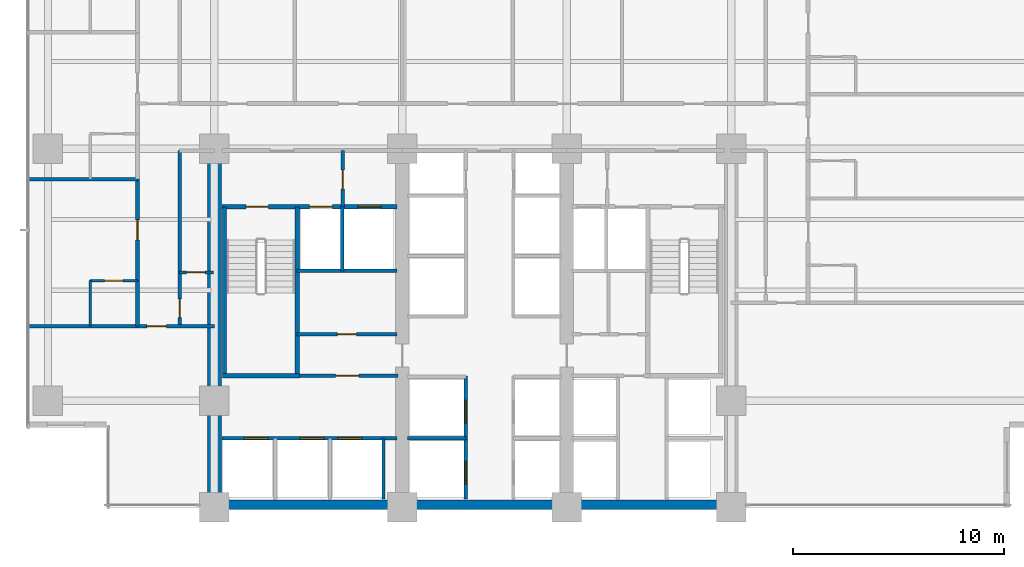
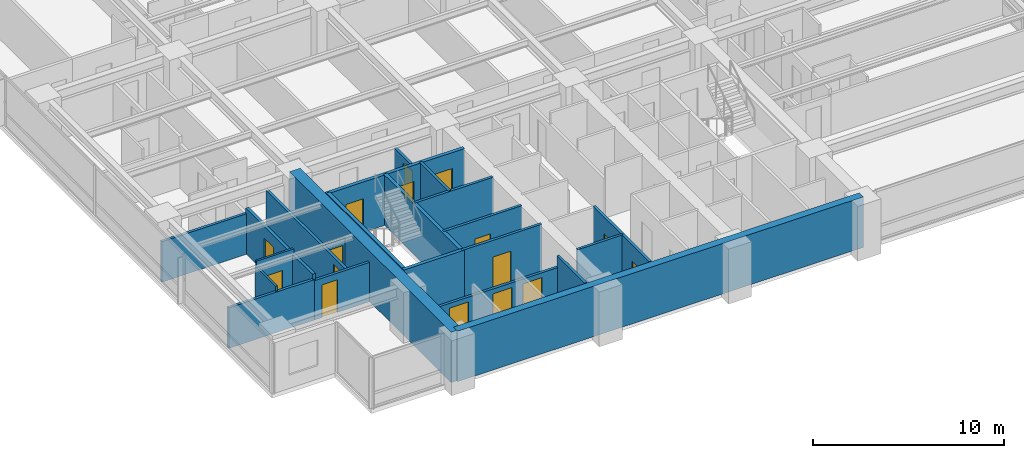
# One storey, part 7 of 17: 24 walls, 16 doors, 16 openings.
"""IFC4 building model written with IfcOpenShell, lengths in metres."""

from ifc_helpers import new_model, si_unit, direction, frame, frame_2d, origin, place, context, subcontext, project, spatial, rectangle, extrude, material, layer, layer_set, type_object, element, fill, save


model = new_model("IFC4")

# Units and contexts
model_context = context("Model", 3, precision=1e-05, world=origin(), true_north=direction((0.0, 1.0)))
body_context = subcontext(model_context, "Body", "Model", "MODEL_VIEW")
ifc_project = project(units=[si_unit("LENGTHUNIT", "METRE"), si_unit("AREAUNIT", "SQUARE_METRE"), si_unit("VOLUMEUNIT", "CUBIC_METRE"), si_unit("PLANEANGLEUNIT", "RADIAN"), si_unit("MASSUNIT", "GRAM", prefix="KILO")], contexts=[model_context])

# Site, building, storey
site_placement = place(None, origin())
site = spatial("IfcSite", under=ifc_project, at=site_placement, CompositionType="ELEMENT")
building_placement = place(site_placement, origin())
building = spatial("IfcBuilding", under=site, at=building_placement, Name="Qalmaran Belvedere Hotel", CompositionType="ELEMENT")
storey_placement = place(building_placement, frame((0.0, 0.0, 40.39990234375)))
storey = spatial("IfcBuildingStorey", under=building, at=storey_placement, Name="L09", CompositionType="ELEMENT", Elevation=40.39990234375)

# Walls
ifc_material_1 = material(Name="Concrete C60/75", Category="concrete")
ifc_layer_1 = layer(ifc_material_1, 0.64990234375, Name="Concrete C60/75")
ifc_layer_set_1 = layer_set([ifc_layer_1], Name="Concrete C60/75")
wall_type_1 = type_object("IfcWallType", Name="WL-CORE-650-C60", PredefinedType="SHEAR", material=ifc_layer_set_1)
wall_1_placement = place(storey_placement, frame((20.300048828125, 3.5, 0.0), z_axis=(0.0, 0.0, 1.0), x_axis=(0.0, 1.0, 0.0)))
element("IfcWall", 1, at=wall_1_placement, inside=storey, type_object=wall_type_1, Name="L09 West Core Shear Wall", PredefinedType="SHEAR", context=body_context, shape_type="SweptSolid", body=[
    extrude(rectangle(XDim=16.89990234375, YDim=0.64990234375, at=frame_2d((8.449951171875, 0.0))), origin(), (0.0, 0.0, 1.0), 3.22021484375),
])
ifc_material_2 = material(Name="Concrete C50/60", Category="concrete")
ifc_layer_2 = layer(ifc_material_2, 0.43994140625, Name="Concrete C50/60")
ifc_layer_set_2 = layer_set([ifc_layer_2], Name="Concrete C50/60")
wall_type_2 = type_object("IfcWallType", Name="WL-CORES-440-EXT", PredefinedType="SHEAR", material=ifc_layer_set_2)
wall_2_placement = place(storey_placement, frame((20.300048828125, 3.6298828125, 0.0), z_axis=(0.0, 0.0, 1.0), x_axis=(1.0, 0.0, 0.0)))
element("IfcWall", 2, at=wall_2_placement, inside=storey, type_object=wall_type_2, Name="L09 South Core Shear Wall", PredefinedType="SHEAR", context=body_context, shape_type="SweptSolid", body=[
    extrude(rectangle(XDim=24.5, YDim=0.43994140625, at=frame_2d((12.25, 0.0))), origin(), (0.0, 0.0, 1.0), 3.22021484375),
])

# Wall, opening, door
ifc_material_3 = material(Name="Moisture-Resistant Gypsum")
ifc_layer_3 = layer(ifc_material_3, 0.1201171875, Name="Moisture-Resistant Gypsum")
ifc_layer_set_3 = layer_set([ifc_layer_3], Name="Moisture-Resistant Gypsum")
wall_type_3 = type_object("IfcWallType", Name="WL-INT-120-BATH", PredefinedType="PARTITIONING", material=ifc_layer_set_3)
wall_3_placement = place(storey_placement, frame((14.39990234375, 14.25, 0.0), z_axis=(0.0, 0.0, 1.0), x_axis=(1.0, 0.0, 0.0)))
wall_3 = element("IfcWall", 3, at=wall_3_placement, inside=storey, type_object=wall_type_3, Name="L09 Partition WL-L09-WBN00", PredefinedType="PARTITIONING", context=body_context, shape_type="SweptSolid", body=[
    extrude(rectangle(XDim=2.25, YDim=0.1201171875, at=frame_2d((1.125, 0.0))), origin(), (0.0, 0.0, 1.0), 3.22021484375),
])
opening_1_placement = place(wall_3_placement, frame((1.56494140625, 0.0, 0.0), z_axis=(0.0, 0.0, 1.0), x_axis=(-1.0, 0.0, 0.0)))
opening_1 = element("IfcOpeningElement", 4, at=opening_1_placement, cuts=wall_3, Name="Opening D-BATH", PredefinedType="OPENING", context=body_context, shape_type="SweptSolid", body=[
    extrude(rectangle(XDim=0.8798828125, YDim=2.080078125, at=frame_2d((0.43994140625, 1.0400390625))), frame((0.0, 0.070068359375, 0.0), z_axis=(0.0, -1.0, 0.0), x_axis=(1.0, 0.0, 0.0)), (0.0, 0.0, 1.0), 0.14013671875),
])
ifc_material_4 = material(Name="Engineered Oak Veneer")
door_type_1 = type_object("IfcDoorType", Name="DR-INT-BATH-880X2080", OperationType="NOTDEFINED", PredefinedType="DOOR", material=ifc_material_4)
door_1_placement = place(opening_1_placement, origin())
door_1 = element("IfcDoor", 5, at=door_1_placement, inside=storey, type_object=door_type_1, Name="L09 W Ensuite Door 01", OperationType="SINGLE_SWING_LEFT", OverallHeight=2.080078125, OverallWidth=0.8798828125, PredefinedType="DOOR", context=body_context, shape_type="SweptSolid", body=[
    extrude(rectangle(XDim=0.8798828125, YDim=2.080078125, at=frame_2d((0.43994140625, 1.0400390625))), frame((0.0, 0.02490234375, 0.0), z_axis=(0.0, -1.0, 0.0), x_axis=(1.0, 0.0, 0.0)), (0.0, 0.0, 1.0), 0.050048828125),
])
fill(opening_1, door_1)

# Wall
wall_4_placement = place(storey_placement, frame((14.39990234375, 12.10009765625, 0.0), z_axis=(0.0, 0.0, 1.0), x_axis=(0.0, 1.0, 0.0)))
element("IfcWall", 6, at=wall_4_placement, inside=storey, type_object=wall_type_3, Name="L09 Partition WL-L09-WBS00", PredefinedType="PARTITIONING", context=body_context, shape_type="SweptSolid", body=[
    extrude(rectangle(XDim=2.14990234375, YDim=0.1201171875, at=frame_2d((1.074951171875, 0.0))), origin(), (0.0, 0.0, 1.0), 2.902099609375),
])

# Wall, opening, door
ifc_material_5 = material(Name="Gypsum Stud Partition")
ifc_layer_4 = layer(ifc_material_5, 0.139892578125, Name="Gypsum Stud Partition")
ifc_layer_set_4 = layer_set([ifc_layer_4], Name="Gypsum Stud Partition")
wall_type_4 = type_object("IfcWallType", Name="WL-INT-140-NR", PredefinedType="PARTITIONING", material=ifc_layer_set_4)
wall_5_placement = place(storey_placement, frame((18.64990234375, 14.64990234375, 0.0), z_axis=(0.0, 0.0, 1.0), x_axis=(1.0, 0.0, 0.0)))
wall_5 = element("IfcWall", 7, at=wall_5_placement, inside=storey, type_object=wall_type_4, Name="L09 Partition WL-L09-WCLSUB", PredefinedType="PARTITIONING", context=body_context, shape_type="SweptSolid", body=[
    extrude(rectangle(XDim=1.60009765625, YDim=0.139892578125, at=frame_2d((0.800048828125, 0.0))), origin(), (0.0, 0.0, 1.0), 2.510009765625),
])
opening_2_placement = place(wall_5_placement, frame((1.193115234375, 0.0, 0.0), z_axis=(0.0, 0.0, 1.0), x_axis=(-1.0, 0.0, 0.0)))
opening_2 = element("IfcOpeningElement", 8, at=opening_2_placement, cuts=wall_5, Name="Opening D-BATH", PredefinedType="OPENING", context=body_context, shape_type="SweptSolid", body=[
    extrude(rectangle(XDim=0.8798828125, YDim=2.080078125, at=frame_2d((0.43994140625, 1.0400390625))), frame((0.0, 0.080078125, 0.0), z_axis=(0.0, -1.0, 0.0), x_axis=(1.0, 0.0, 0.0)), (0.0, 0.0, 1.0), 0.159912109375),
])
door_2_placement = place(opening_2_placement, origin())
door_2 = element("IfcDoor", 9, at=door_2_placement, inside=storey, type_object=door_type_1, Name="L09 Closet Alcove Door", OperationType="SINGLE_SWING_RIGHT", OverallHeight=2.080078125, OverallWidth=0.8798828125, PredefinedType="DOOR", context=body_context, shape_type="SweptSolid", body=[
    extrude(rectangle(XDim=0.8798828125, YDim=2.080078125, at=frame_2d((0.43994140625, 1.0400390625))), frame((0.0, 0.02490234375, 0.0), z_axis=(0.0, -1.0, 0.0), x_axis=(1.0, 0.0, 0.0)), (0.0, 0.0, 1.0), 0.050048828125),
])
fill(opening_2, door_2)

# Walls
ifc_layer_5 = layer(ifc_material_5, 0.14990234375, Name="Gypsum Stud Partition")
ifc_layer_set_5 = layer_set([ifc_layer_5], Name="Gypsum Stud Partition")
wall_type_5 = type_object("IfcWallType", Name="WL-INT-150-EI120", PredefinedType="PARTITIONING", material=ifc_layer_set_5)
wall_6_placement = place(storey_placement, frame((26.360107421875, 14.719970703125, 0.0), z_axis=(0.0, 0.0, 1.0), x_axis=(0.0, 1.0, 0.0)))
element("IfcWall", 10, at=wall_6_placement, inside=storey, type_object=wall_type_5, Name="L09 Partition WL-FF1M-L09", PredefinedType="PARTITIONING", context=body_context, shape_type="SweptSolid", body=[
    extrude(rectangle(XDim=3.0400390625, YDim=0.14990234375, at=frame_2d((1.52001953125, 0.0))), origin(), (0.0, 0.0, 1.0), 3.22021484375),
])
wall_7_placement = place(storey_placement, frame((28.320068359375, 3.89990234375, 0.0), z_axis=(0.0, 0.0, 1.0), x_axis=(0.0, 1.0, 0.0)))
element("IfcWall", 11, at=wall_7_placement, inside=storey, type_object=wall_type_5, Name="L09 Partition WL-POM3-L09", PredefinedType="PARTITIONING", context=body_context, shape_type="SweptSolid", body=[
    extrude(rectangle(XDim=2.880126953125, YDim=0.14990234375, at=frame_2d((1.43994140625, 0.0))), origin(), (0.0, 0.0, 1.0), 3.22021484375),
])
wall_8_placement = place(storey_placement, frame((29.449951171875, 6.780029296875, 0.0), z_axis=(0.0, 0.0, 1.0), x_axis=(1.0, 0.0, 0.0)))
element("IfcWall", 12, at=wall_8_placement, inside=storey, type_object=wall_type_5, Name="L09 Partition WL-PLW-L09-67", PredefinedType="PARTITIONING", context=body_context, shape_type="SweptSolid", body=[
    extrude(rectangle(XDim=2.77001953125, YDim=0.14990234375, at=frame_2d((1.385009765625, 0.0))), origin(), (0.0, 0.0, 1.0), 3.22021484375),
])

# Wall, opening, door
ifc_layer_6 = layer(ifc_material_5, 0.159912109375, Name="Gypsum Stud Partition")
ifc_layer_set_6 = layer_set([ifc_layer_6], Name="Gypsum Stud Partition")
wall_type_6 = type_object("IfcWallType", Name="WL-INT-160-EI120", PredefinedType="PARTITIONING", material=ifc_layer_set_6)
wall_9_placement = place(storey_placement, frame((26.3798828125, 17.760009765625, 0.0), z_axis=(0.0, 0.0, 1.0), x_axis=(0.0, 1.0, 0.0)))
wall_9 = element("IfcWall", 13, at=wall_9_placement, inside=storey, type_object=wall_type_6, Name="L09 Partition WL-FFSV1-L09", PredefinedType="PARTITIONING", context=body_context, shape_type="SweptSolid", body=[
    extrude(rectangle(XDim=2.659912109375, YDim=0.159912109375, at=frame_2d((1.330078125, 0.0))), origin(), (0.0, 0.0, 1.0), 2.510009765625),
])
opening_3_placement = place(wall_9_placement, frame((0.85009765625, 0.0, 0.0)))
opening_3 = element("IfcOpeningElement", 14, at=opening_3_placement, cuts=wall_9, Name="Opening FD60B", PredefinedType="OPENING", context=body_context, shape_type="SweptSolid", body=[
    extrude(rectangle(XDim=0.8798828125, YDim=2.080078125, at=frame_2d((0.43994140625, 1.0400390625))), frame((0.0, 0.08984375, 0.0), z_axis=(0.0, -1.0, 0.0), x_axis=(1.0, 0.0, 0.0)), (0.0, 0.0, 1.0), 0.179931640625),
])
ifc_material_6 = material(Name="Steel S355JR", Category="steel")
door_type_2 = type_object("IfcDoorType", Name="DR-FD60B-880X2080", OperationType="NOTDEFINED", PredefinedType="DOOR", material=ifc_material_6)
door_3_placement = place(opening_3_placement, origin())
door_3 = element("IfcDoor", 15, at=door_3_placement, inside=storey, type_object=door_type_2, Name="L09 Service Lobby West Door", OperationType="SINGLE_SWING_RIGHT", OverallHeight=2.080078125, OverallWidth=0.8798828125, PredefinedType="DOOR", context=body_context, shape_type="SweptSolid", body=[
    extrude(rectangle(XDim=0.8798828125, YDim=2.080078125, at=frame_2d((0.43994140625, 1.0400390625))), frame((0.0, 0.02490234375, 0.0), z_axis=(0.0, -1.0, 0.0), x_axis=(1.0, 0.0, 0.0)), (0.0, 0.0, 1.0), 0.050048828125),
])
fill(opening_3, door_3)

# Wall
wall_10_placement = place(storey_placement, frame((24.219970703125, 14.719970703125, 0.0), z_axis=(0.0, 0.0, 1.0), x_axis=(1.0, 0.0, 0.0)))
element("IfcWall", 16, at=wall_10_placement, inside=storey, type_object=wall_type_6, Name="L09 Partition WL-FF1S-L09", PredefinedType="PARTITIONING", context=body_context, shape_type="SweptSolid", body=[
    extrude(rectangle(XDim=4.72998046875, YDim=0.159912109375, at=frame_2d((2.364990234375, 0.0))), origin(), (0.0, 0.0, 1.0), 3.22021484375),
])

# Wall, openings, doors
wall_11_placement = place(storey_placement, frame((20.64990234375, 6.780029296875, 0.0), z_axis=(0.0, 0.0, 1.0), x_axis=(1.0, 0.0, 0.0)))
wall_11 = element("IfcWall", 17, at=wall_11_placement, inside=storey, type_object=wall_type_6, Name="L09 Partition WL-POS-L09", PredefinedType="PARTITIONING", context=body_context, shape_type="SweptSolid", body=[
    extrude(rectangle(XDim=8.300048828125, YDim=0.159912109375, at=frame_2d((4.14990234375, 0.0))), origin(), (0.0, 0.0, 1.0), 2.510009765625),
])
opening_4_placement = place(wall_11_placement, frame((3.69482421875, 0.0, 0.0)))
opening_4 = element("IfcOpeningElement", 18, at=opening_4_placement, cuts=wall_11, Name="Opening LD-PO", PredefinedType="OPENING", context=body_context, shape_type="SweptSolid", body=[
    extrude(rectangle(XDim=1.14990234375, YDim=2.199951171875, at=frame_2d((0.574951171875, 1.10009765625))), frame((0.0, 0.08984375, 0.0), z_axis=(0.0, -1.0, 0.0), x_axis=(1.0, 0.0, 0.0)), (0.0, 0.0, 1.0), 0.179931640625),
])
opening_5_placement = place(wall_11_placement, frame((5.4921875, 0.0, 0.0)))
opening_5 = element("IfcOpeningElement", 19, at=opening_5_placement, cuts=wall_11, Name="Opening LD-PO", PredefinedType="OPENING", context=body_context, shape_type="SweptSolid", body=[
    extrude(rectangle(XDim=1.14990234375, YDim=2.199951171875, at=frame_2d((0.574951171875, 1.10009765625))), frame((0.0, 0.08984375, 0.0), z_axis=(0.0, -1.0, 0.0), x_axis=(1.0, 0.0, 0.0)), (0.0, 0.0, 1.0), 0.179931640625),
])
opening_6_placement = place(wall_11_placement, frame((1.058837890625, 0.0, 0.0)))
opening_6 = element("IfcOpeningElement", 20, at=opening_6_placement, cuts=wall_11, Name="Opening LD-PO", PredefinedType="OPENING", context=body_context, shape_type="SweptSolid", body=[
    extrude(rectangle(XDim=1.14990234375, YDim=2.199951171875, at=frame_2d((0.574951171875, 1.10009765625))), frame((0.0, 0.08984375, 0.0), z_axis=(0.0, -1.0, 0.0), x_axis=(1.0, 0.0, 0.0)), (0.0, 0.0, 1.0), 0.179931640625),
])
ifc_material_7 = material(Name="Anodised Bronze Aluminium", Category="aluminium")
door_type_3 = type_object("IfcDoorType", Name="DR-LIFT-PO-1150X2200", OperationType="DOUBLE_DOOR_SLIDING", PredefinedType="DOOR", material=ifc_material_7)
door_4_placement = place(opening_4_placement, origin())
door_4 = element("IfcDoor", 21, at=door_4_placement, inside=storey, type_object=door_type_3, Name="L09 PO1 Shuttle Landing Door", OperationType="DOUBLE_DOOR_SLIDING", OverallHeight=2.199951171875, OverallWidth=1.14990234375, PredefinedType="DOOR", context=body_context, shape_type="SweptSolid", body=[
    extrude(rectangle(XDim=1.14990234375, YDim=2.199951171875, at=frame_2d((0.574951171875, 1.10009765625))), frame((0.0, 0.02490234375, 0.0), z_axis=(0.0, -1.0, 0.0), x_axis=(1.0, 0.0, 0.0)), (0.0, 0.0, 1.0), 0.050048828125),
])
fill(opening_4, door_4)
door_5_placement = place(opening_5_placement, origin())
door_5 = element("IfcDoor", 22, at=door_5_placement, inside=storey, type_object=door_type_3, Name="L09 PO2 Shuttle Landing Door", OperationType="DOUBLE_DOOR_SLIDING", OverallHeight=2.199951171875, OverallWidth=1.14990234375, PredefinedType="DOOR", context=body_context, shape_type="SweptSolid", body=[
    extrude(rectangle(XDim=1.14990234375, YDim=2.199951171875, at=frame_2d((0.574951171875, 1.10009765625))), frame((0.0, 0.02490234375, 0.0), z_axis=(0.0, -1.0, 0.0), x_axis=(1.0, 0.0, 0.0)), (0.0, 0.0, 1.0), 0.050048828125),
])
fill(opening_5, door_5)
door_6_placement = place(opening_6_placement, origin())
door_6 = element("IfcDoor", 23, at=door_6_placement, inside=storey, type_object=door_type_3, Name="L09 PO3 Shuttle Landing Door", OperationType="DOUBLE_DOOR_SLIDING", OverallHeight=2.199951171875, OverallWidth=1.14990234375, PredefinedType="DOOR", context=body_context, shape_type="SweptSolid", body=[
    extrude(rectangle(XDim=1.14990234375, YDim=2.199951171875, at=frame_2d((0.574951171875, 1.10009765625))), frame((0.0, 0.02490234375, 0.0), z_axis=(0.0, -1.0, 0.0), x_axis=(1.0, 0.0, 0.0)), (0.0, 0.0, 1.0), 0.050048828125),
])
fill(opening_6, door_6)

# Wall, opening, door
wall_12_placement = place(storey_placement, frame((24.199951171875, 9.739990234375, 0.0), z_axis=(0.0, 0.0, 1.0), x_axis=(1.0, 0.0, 0.0)))
wall_12 = element("IfcWall", 24, at=wall_12_placement, inside=storey, type_object=wall_type_6, Name="L09 Partition WL-PON-L09", PredefinedType="PARTITIONING", context=body_context, shape_type="SweptSolid", body=[
    extrude(rectangle(XDim=4.800048828125, YDim=0.159912109375, at=frame_2d((2.39990234375, 0.0))), origin(), (0.0, 0.0, 1.0), 3.22021484375),
])
opening_7_placement = place(wall_12_placement, frame((1.85009765625, 0.0, 0.0)))
opening_7 = element("IfcOpeningElement", 25, at=opening_7_placement, cuts=wall_12, Name="Opening FD90", PredefinedType="OPENING", context=body_context, shape_type="SweptSolid", body=[
    extrude(rectangle(XDim=1.10009765625, YDim=2.14990234375, at=frame_2d((0.550048828125, 1.074951171875))), frame((0.0, 0.08984375, 0.0), z_axis=(0.0, -1.0, 0.0), x_axis=(1.0, 0.0, 0.0)), (0.0, 0.0, 1.0), 0.179931640625),
])
door_type_4 = type_object("IfcDoorType", Name="DR-FD90-1100X2150", OperationType="NOTDEFINED", PredefinedType="DOOR", material=ifc_material_6)
door_7_placement = place(opening_7_placement, origin())
door_7 = element("IfcDoor", 26, at=door_7_placement, inside=storey, type_object=door_type_4, Name="L09 Shuttle Lobby Passage Door", OperationType="SINGLE_SWING_RIGHT", OverallHeight=2.14990234375, OverallWidth=1.10009765625, PredefinedType="DOOR", context=body_context, shape_type="SweptSolid", body=[
    extrude(rectangle(XDim=1.10009765625, YDim=2.14990234375, at=frame_2d((0.550048828125, 1.074951171875))), frame((0.0, 0.02490234375, 0.0), z_axis=(0.0, -1.0, 0.0), x_axis=(1.0, 0.0, 0.0)), (0.0, 0.0, 1.0), 0.050048828125),
])
fill(opening_7, door_7)

# Wall, openings, doors
wall_13_placement = place(storey_placement, frame((32.219970703125, 3.89990234375, 0.0), z_axis=(0.0, 0.0, 1.0), x_axis=(0.0, 1.0, 0.0)))
wall_13 = element("IfcWall", 27, at=wall_13_placement, inside=storey, type_object=wall_type_6, Name="L09 Partition WL-CLBWS-L09", PredefinedType="PARTITIONING", context=body_context, shape_type="SweptSolid", body=[
    extrude(rectangle(XDim=5.840087890625, YDim=0.159912109375, at=frame_2d((2.919921875, 0.0))), origin(), (0.0, 0.0, 1.0), 3.22021484375),
])
opening_8_placement = place(wall_13_placement, frame((1.780029296875, 0.0, 0.0), z_axis=(0.0, 0.0, 1.0), x_axis=(-1.0, 0.0, 0.0)))
opening_8 = element("IfcOpeningElement", 28, at=opening_8_placement, cuts=wall_13, Name="Opening LD-P1", PredefinedType="OPENING", context=body_context, shape_type="SweptSolid", body=[
    extrude(rectangle(XDim=1.080078125, YDim=2.159912109375, at=frame_2d((0.5400390625, 1.080078125))), frame((0.0, 0.08984375, 0.0), z_axis=(0.0, -1.0, 0.0), x_axis=(1.0, 0.0, 0.0)), (0.0, 0.0, 1.0), 0.179931640625),
])
opening_9_placement = place(wall_13_placement, frame((4.68017578125, 0.0, 0.0), z_axis=(0.0, 0.0, 1.0), x_axis=(-1.0, 0.0, 0.0)))
opening_9 = element("IfcOpeningElement", 29, at=opening_9_placement, cuts=wall_13, Name="Opening LD-P1", PredefinedType="OPENING", context=body_context, shape_type="SweptSolid", body=[
    extrude(rectangle(XDim=1.080078125, YDim=2.159912109375, at=frame_2d((0.5400390625, 1.080078125))), frame((0.0, 0.08984375, 0.0), z_axis=(0.0, -1.0, 0.0), x_axis=(1.0, 0.0, 0.0)), (0.0, 0.0, 1.0), 0.179931640625),
])
ifc_material_8 = material(Name="Stainless Steel 1.4401", Category="steel")
door_type_5 = type_object("IfcDoorType", Name="DR-LIFT-P1-1080X2160", OperationType="DOUBLE_DOOR_SLIDING", PredefinedType="DOOR", material=ifc_material_8)
door_8_placement = place(opening_8_placement, origin())
door_8 = element("IfcDoor", 30, at=door_8_placement, inside=storey, type_object=door_type_5, Name="L09 PL1 Lift Landing Door", OperationType="DOUBLE_DOOR_SLIDING", OverallHeight=2.159912109375, OverallWidth=1.080078125, PredefinedType="DOOR", context=body_context, shape_type="SweptSolid", body=[
    extrude(rectangle(XDim=1.080078125, YDim=2.159912109375, at=frame_2d((0.5400390625, 1.080078125))), frame((0.0, 0.02490234375, 0.0), z_axis=(0.0, -1.0, 0.0), x_axis=(1.0, 0.0, 0.0)), (0.0, 0.0, 1.0), 0.050048828125),
])
fill(opening_8, door_8)
door_9_placement = place(opening_9_placement, origin())
door_9 = element("IfcDoor", 31, at=door_9_placement, inside=storey, type_object=door_type_5, Name="L09 PL2 Lift Landing Door", OperationType="DOUBLE_DOOR_SLIDING", OverallHeight=2.159912109375, OverallWidth=1.080078125, PredefinedType="DOOR", context=body_context, shape_type="SweptSolid", body=[
    extrude(rectangle(XDim=1.080078125, YDim=2.159912109375, at=frame_2d((0.5400390625, 1.080078125))), frame((0.0, 0.02490234375, 0.0), z_axis=(0.0, -1.0, 0.0), x_axis=(1.0, 0.0, 0.0)), (0.0, 0.0, 1.0), 0.050048828125),
])
fill(opening_9, door_9)

# Wall, opening, door
ifc_layer_7 = layer(ifc_material_5, 0.159912109375, Name="Gypsum Stud Partition")
ifc_layer_set_7 = layer_set([ifc_layer_7], Name="Gypsum Stud Partition")
wall_type_7 = type_object("IfcWallType", Name="WL-INT-160-EI60", PredefinedType="PARTITIONING", material=ifc_layer_set_7)
wall_14_placement = place(storey_placement, frame((24.219970703125, 11.719970703125, 0.0), z_axis=(0.0, 0.0, 1.0), x_axis=(1.0, 0.0, 0.0)))
wall_14 = element("IfcWall", 32, at=wall_14_placement, inside=storey, type_object=wall_type_7, Name="L09 Partition WL-L09-KWE1", PredefinedType="PARTITIONING", context=body_context, shape_type="SweptSolid", body=[
    extrude(rectangle(XDim=4.72998046875, YDim=0.159912109375, at=frame_2d((2.364990234375, 0.0))), origin(), (0.0, 0.0, 1.0), 3.22021484375),
])
opening_10_placement = place(wall_14_placement, frame((1.905029296875, 0.0, 0.0)))
opening_10 = element("IfcOpeningElement", 33, at=opening_10_placement, cuts=wall_14, Name="Opening FD60S1", PredefinedType="OPENING", context=body_context, shape_type="SweptSolid", body=[
    extrude(rectangle(XDim=0.919921875, YDim=2.080078125, at=frame_2d((0.4599609375, 1.0400390625))), frame((0.0, 0.08984375, 0.0), z_axis=(0.0, -1.0, 0.0), x_axis=(1.0, 0.0, 0.0)), (0.0, 0.0, 1.0), 0.179931640625),
])
door_type_6 = type_object("IfcDoorType", Name="DR-FD60S-920X2080", OperationType="NOTDEFINED", PredefinedType="DOOR", material=ifc_material_4)
door_10_placement = place(opening_10_placement, origin())
door_10 = element("IfcDoor", 34, at=door_10_placement, inside=storey, type_object=door_type_6, Name="L09 Electrical Distribution Room Door", OperationType="SINGLE_SWING_LEFT", OverallHeight=2.080078125, OverallWidth=0.919921875, PredefinedType="DOOR", context=body_context, shape_type="SweptSolid", body=[
    extrude(rectangle(XDim=0.919921875, YDim=2.080078125, at=frame_2d((0.4599609375, 1.0400390625))), frame((0.0, 0.02490234375, 0.0), z_axis=(0.0, -1.0, 0.0), x_axis=(1.0, 0.0, 0.0)), (0.0, 0.0, 1.0), 0.050048828125),
])
fill(opening_10, door_10)

wall_15_placement = place(storey_placement, frame((16.64990234375, 12.10009765625, 0.0), z_axis=(0.0, 0.0, 1.0), x_axis=(1.0, 0.0, 0.0)))
wall_15 = element("IfcWall", 35, at=wall_15_placement, inside=storey, type_object=wall_type_7, Name="L09 Partition WL-L09-SWRL", PredefinedType="PARTITIONING", context=body_context, shape_type="SweptSolid", body=[
    extrude(rectangle(XDim=3.650146484375, YDim=0.159912109375, at=frame_2d((1.8251953125, 0.0))), origin(), (0.0, 0.0, 1.0), 2.510009765625),
])
opening_11_placement = place(wall_15_placement, frame((1.369873046875, 0.0, 0.0), z_axis=(0.0, 0.0, 1.0), x_axis=(-1.0, 0.0, 0.0)))
opening_11 = element("IfcOpeningElement", 36, at=opening_11_placement, cuts=wall_15, Name="Opening FD60S1", PredefinedType="OPENING", context=body_context, shape_type="SweptSolid", body=[
    extrude(rectangle(XDim=0.919921875, YDim=2.080078125, at=frame_2d((0.4599609375, 1.0400390625))), frame((0.0, 0.08984375, 0.0), z_axis=(0.0, -1.0, 0.0), x_axis=(1.0, 0.0, 0.0)), (0.0, 0.0, 1.0), 0.179931640625),
])
door_11_placement = place(opening_11_placement, origin())
door_11 = element("IfcDoor", 37, at=door_11_placement, inside=storey, type_object=door_type_6, Name="L09 SW Lounge Door", OperationType="SINGLE_SWING_RIGHT", OverallHeight=2.080078125, OverallWidth=0.919921875, PredefinedType="DOOR", context=body_context, shape_type="SweptSolid", body=[
    extrude(rectangle(XDim=0.919921875, YDim=2.080078125, at=frame_2d((0.4599609375, 1.0400390625))), frame((0.0, 0.02490234375, 0.0), z_axis=(0.0, -1.0, 0.0), x_axis=(1.0, 0.0, 0.0)), (0.0, 0.0, 1.0), 0.050048828125),
])
fill(opening_11, door_11)

wall_16_placement = place(storey_placement, frame((18.64990234375, 12.10009765625, 0.0), z_axis=(0.0, 0.0, 1.0), x_axis=(0.0, 1.0, 0.0)))
wall_16 = element("IfcWall", 38, at=wall_16_placement, inside=storey, type_object=wall_type_7, Name="L09 Partition WL-L09-WCL", PredefinedType="PARTITIONING", context=body_context, shape_type="SweptSolid", body=[
    extrude(rectangle(XDim=8.31982421875, YDim=0.159912109375, at=frame_2d((4.159912109375, 0.0))), origin(), (0.0, 0.0, 1.0), 2.510009765625),
])
opening_12_placement = place(wall_16_placement, frame((1.27978515625, 0.0, 0.0), z_axis=(0.0, 0.0, 1.0), x_axis=(-1.0, 0.0, 0.0)))
opening_12 = element("IfcOpeningElement", 39, at=opening_12_placement, cuts=wall_16, Name="Opening FD60B", PredefinedType="OPENING", context=body_context, shape_type="SweptSolid", body=[
    extrude(rectangle(XDim=0.8798828125, YDim=2.080078125, at=frame_2d((0.43994140625, 1.0400390625))), frame((0.0, 0.08984375, 0.0), z_axis=(0.0, -1.0, 0.0), x_axis=(1.0, 0.0, 0.0)), (0.0, 0.0, 1.0), 0.179931640625),
])
door_12_placement = place(opening_12_placement, origin())
door_12 = element("IfcDoor", 40, at=door_12_placement, inside=storey, type_object=door_type_2, Name="L09 West Closet Door", OperationType="SINGLE_SWING_RIGHT", OverallHeight=2.080078125, OverallWidth=0.8798828125, PredefinedType="DOOR", context=body_context, shape_type="SweptSolid", body=[
    extrude(rectangle(XDim=0.8798828125, YDim=2.080078125, at=frame_2d((0.43994140625, 1.0400390625))), frame((0.0, 0.02490234375, 0.0), z_axis=(0.0, -1.0, 0.0), x_axis=(1.0, 0.0, 0.0)), (0.0, 0.0, 1.0), 0.050048828125),
])
fill(opening_12, door_12)

# Walls
for number, where, z_axis, x_axis, name in (
    (41, (11.469970703125, 12.10009765625, 0.0), (0.0, 0.0, 1.0), (1.0, 0.0, 0.0), "L09 Partition WL-L09-WBOT"),
    (42, (11.469970703125, 19.066650390625, 0.0), (0.0, 0.0, 1.0), (1.0, 0.0, 0.0), "L09 Partition WL-L09-WU00"),
):
    element("IfcWall", number, at=place(storey_placement, frame(where, z_axis=z_axis, x_axis=x_axis)), inside=storey, type_object=wall_type_7, Name=name, PredefinedType="PARTITIONING", context=body_context, shape_type="SweptSolid", body=[
        extrude(rectangle(XDim=5.179931640625, YDim=0.159912109375, at=frame_2d((2.58984375, 0.0))), origin(), (0.0, 0.0, 1.0), 2.5830078125),
    ])
ifc_layer_8 = layer(ifc_material_5, 0.179931640625, Name="Gypsum Stud Partition")
ifc_layer_set_8 = layer_set([ifc_layer_8], Name="Gypsum Stud Partition")
wall_type_8 = type_object("IfcWallType", Name="WL-INT-180-EI60", PredefinedType="PARTITIONING", material=ifc_layer_set_8)
wall_17_placement = place(storey_placement, frame((16.64990234375, 12.10009765625, 0.0), z_axis=(0.0, 0.0, 1.0), x_axis=(0.0, 1.0, 0.0)))
element("IfcWall", 43, at=wall_17_placement, inside=storey, type_object=wall_type_8, Name="L09 Partition WL-L09-WBC00", PredefinedType="PARTITIONING", context=body_context, shape_type="SweptSolid", body=[
    extrude(rectangle(XDim=2.14990234375, YDim=0.179931640625, at=frame_2d((1.074951171875, 0.0))), origin(), (0.0, 0.0, 1.0), 2.902099609375),
])

# Wall, opening, door
wall_18_placement = place(storey_placement, frame((16.64990234375, 14.25, 0.0), z_axis=(0.0, 0.0, 1.0), x_axis=(0.0, 1.0, 0.0)))
wall_18 = element("IfcWall", 44, at=wall_18_placement, inside=storey, type_object=wall_type_8, Name="L09 Partition WL-L09-WEC00", PredefinedType="PARTITIONING", context=body_context, shape_type="SweptSolid", body=[
    extrude(rectangle(XDim=4.816650390625, YDim=0.179931640625, at=frame_2d((2.408203125, 0.0))), origin(), (0.0, 0.0, 1.0), 2.902099609375),
])
opening_13_placement = place(wall_18_placement, frame((1.933349609375, 0.0, 0.0)))
opening_13 = element("IfcOpeningElement", 45, at=opening_13_placement, cuts=wall_18, Name="Opening FD60", PredefinedType="OPENING", context=body_context, shape_type="SweptSolid", body=[
    extrude(rectangle(XDim=0.949951171875, YDim=2.14990234375, at=frame_2d((0.47509765625, 1.074951171875))), frame((0.0, 0.10009765625, 0.0), z_axis=(0.0, -1.0, 0.0), x_axis=(1.0, 0.0, 0.0)), (0.0, 0.0, 1.0), 0.199951171875),
])
door_type_7 = type_object("IfcDoorType", Name="DR-FD60-950X2150", OperationType="NOTDEFINED", PredefinedType="DOOR", material=ifc_material_4)
door_13_placement = place(opening_13_placement, origin())
door_13 = element("IfcDoor", 46, at=door_13_placement, inside=storey, type_object=door_type_7, Name="L09 W Wing Door 01", OperationType="SINGLE_SWING_RIGHT", OverallHeight=2.14990234375, OverallWidth=0.949951171875, PredefinedType="DOOR", context=body_context, shape_type="SweptSolid", body=[
    extrude(rectangle(XDim=0.949951171875, YDim=2.14990234375, at=frame_2d((0.47509765625, 1.074951171875))), frame((0.0, 0.02490234375, 0.0), z_axis=(0.0, -1.0, 0.0), x_axis=(1.0, 0.0, 0.0)), (0.0, 0.0, 1.0), 0.050048828125),
])
fill(opening_13, door_13)

# Walls
ifc_layer_9 = layer(ifc_material_2, 0.2099609375, Name="Concrete C50/60")
ifc_layer_set_9 = layer_set([ifc_layer_9], Name="Concrete C50/60")
wall_type_9 = type_object("IfcWallType", Name="WL-STAIR-210-C50", PredefinedType="SHEAR", material=ifc_layer_set_9)
for number, where, z_axis, x_axis, name in (
    (47, (20.77490234375, 9.7451171875, 0.0), (0.0, 0.0, 1.0), (0.0, 1.0, 0.0), "L09 Stair ST-1 West Bearing Wall"),
    (48, (24.22509765625, 9.7451171875, 0.0), (0.0, 0.0, 1.0), (0.0, 1.0, 0.0), "L09 Stair ST-1 East Bearing Wall"),
):
    element("IfcWall", number, at=place(storey_placement, frame(where, z_axis=z_axis, x_axis=x_axis)), inside=storey, type_object=wall_type_9, Name=name, PredefinedType="SHEAR", context=body_context, shape_type="SweptSolid", body=[
        extrude(rectangle(XDim=8.009765625, YDim=0.2099609375, at=frame_2d((4.0048828125, 0.0))), origin(), (0.0, 0.0, 1.0), 3.22021484375),
    ])
wall_19_placement = place(storey_placement, frame((20.669921875, 9.7451171875, 0.0), z_axis=(0.0, 0.0, 1.0), x_axis=(1.0, 0.0, 0.0)))
element("IfcWall", 49, at=wall_19_placement, inside=storey, type_object=wall_type_9, Name="L09 Stair ST-1 South Bearing Wall", PredefinedType="SHEAR", context=body_context, shape_type="SweptSolid", body=[
    extrude(rectangle(XDim=3.66015625, YDim=0.2099609375, at=frame_2d((1.830078125, 0.0))), origin(), (0.0, 0.0, 1.0), 3.22021484375),
])

# Wall, openings, doors
wall_20_placement = place(storey_placement, frame((20.64990234375, 17.7548828125, 0.0), z_axis=(0.0, 0.0, 1.0), x_axis=(1.0, 0.0, 0.0)))
wall_20 = element("IfcWall", 50, at=wall_20_placement, inside=storey, type_object=wall_type_9, Name="L09 West Lobby and Stair ST-1 North Bearing Wall", PredefinedType="SHEAR", context=body_context, shape_type="SweptSolid", body=[
    extrude(rectangle(XDim=8.300048828125, YDim=0.2099609375, at=frame_2d((4.14990234375, 0.0))), origin(), (0.0, 0.0, 1.0), 3.22021484375),
])
opening_14_placement = place(wall_20_placement, frame((2.199951171875, 0.0, 0.0), z_axis=(0.0, 0.0, 1.0), x_axis=(-1.0, 0.0, 0.0)))
opening_14 = element("IfcOpeningElement", 51, at=opening_14_placement, cuts=wall_20, Name="Opening FD90S2", PredefinedType="OPENING", context=body_context, shape_type="SweptSolid", body=[
    extrude(rectangle(XDim=1.050048828125, YDim=2.14990234375, at=frame_2d((0.52490234375, 1.074951171875))), frame((0.0, 0.114990234375, 0.0), z_axis=(0.0, -1.0, 0.0), x_axis=(1.0, 0.0, 0.0)), (0.0, 0.0, 1.0), 0.22998046875),
])
opening_15_placement = place(wall_20_placement, frame((4.14990234375, 0.0, 0.0)))
opening_15 = element("IfcOpeningElement", 52, at=opening_15_placement, cuts=wall_20, Name="Opening LD-FF", PredefinedType="OPENING", context=body_context, shape_type="SweptSolid", body=[
    extrude(rectangle(XDim=1.10009765625, YDim=2.179931640625, at=frame_2d((0.550048828125, 1.08984375))), frame((0.0, 0.114990234375, 0.0), z_axis=(0.0, -1.0, 0.0), x_axis=(1.0, 0.0, 0.0)), (0.0, 0.0, 1.0), 0.22998046875),
])
opening_16_placement = place(wall_20_placement, frame((6.449951171875, 0.0, 0.0)))
opening_16 = element("IfcOpeningElement", 53, at=opening_16_placement, cuts=wall_20, Name="Opening LD-SV", PredefinedType="OPENING", context=body_context, shape_type="SweptSolid", body=[
    extrude(rectangle(XDim=1.1201171875, YDim=2.199951171875, at=frame_2d((0.56005859375, 1.10009765625))), frame((0.0, 0.114990234375, 0.0), z_axis=(0.0, -1.0, 0.0), x_axis=(1.0, 0.0, 0.0)), (0.0, 0.0, 1.0), 0.22998046875),
])
door_type_8 = type_object("IfcDoorType", Name="DR-FD90S-1050X2150", OperationType="NOTDEFINED", PredefinedType="DOOR", material=ifc_material_6)
door_14_placement = place(opening_14_placement, origin())
door_14 = element("IfcDoor", 54, at=door_14_placement, inside=storey, type_object=door_type_8, Name="L09 Stair ST-1 Door", OperationType="SINGLE_SWING_RIGHT", OverallHeight=2.14990234375, OverallWidth=1.050048828125, PredefinedType="DOOR", context=body_context, shape_type="SweptSolid", body=[
    extrude(rectangle(XDim=1.050048828125, YDim=2.14990234375, at=frame_2d((0.52490234375, 1.074951171875))), frame((0.0, 0.02490234375, 0.0), z_axis=(0.0, -1.0, 0.0), x_axis=(1.0, 0.0, 0.0)), (0.0, 0.0, 1.0), 0.050048828125),
])
fill(opening_14, door_14)
door_type_9 = type_object("IfcDoorType", Name="DR-LIFT-FF-1100X2180", OperationType="DOUBLE_DOOR_SLIDING", PredefinedType="DOOR", material=ifc_material_8)
door_15_placement = place(opening_15_placement, origin())
door_15 = element("IfcDoor", 55, at=door_15_placement, inside=storey, type_object=door_type_9, Name="L09 FF1 Lift Landing Door", OperationType="DOUBLE_DOOR_SLIDING", OverallHeight=2.179931640625, OverallWidth=1.10009765625, PredefinedType="DOOR", context=body_context, shape_type="SweptSolid", body=[
    extrude(rectangle(XDim=1.10009765625, YDim=2.179931640625, at=frame_2d((0.550048828125, 1.08984375))), frame((0.0, 0.02490234375, 0.0), z_axis=(0.0, -1.0, 0.0), x_axis=(1.0, 0.0, 0.0)), (0.0, 0.0, 1.0), 0.050048828125),
])
fill(opening_15, door_15)
door_type_10 = type_object("IfcDoorType", Name="DR-LIFT-SV-1120X2200", OperationType="DOUBLE_DOOR_SLIDING", PredefinedType="DOOR", material=ifc_material_8)
door_16_placement = place(opening_16_placement, origin())
door_16 = element("IfcDoor", 56, at=door_16_placement, inside=storey, type_object=door_type_10, Name="L09 SV1 Lift Landing Door", OperationType="DOUBLE_DOOR_SLIDING", OverallHeight=2.199951171875, OverallWidth=1.1201171875, PredefinedType="DOOR", context=body_context, shape_type="SweptSolid", body=[
    extrude(rectangle(XDim=1.1201171875, YDim=2.199951171875, at=frame_2d((0.56005859375, 1.10009765625))), frame((0.0, 0.02490234375, 0.0), z_axis=(0.0, -1.0, 0.0), x_axis=(1.0, 0.0, 0.0)), (0.0, 0.0, 1.0), 0.050048828125),
])
fill(opening_16, door_16)

save(model, "model.ifc")
